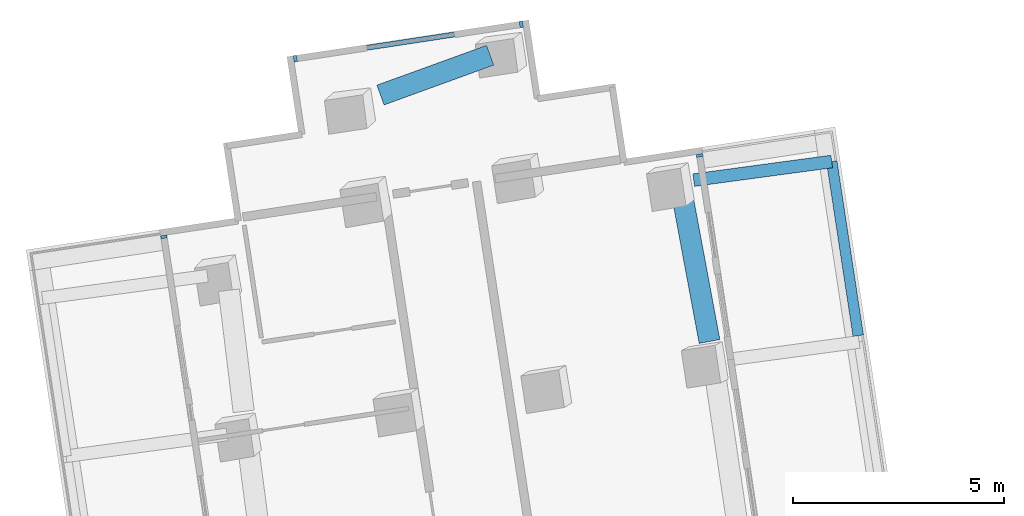
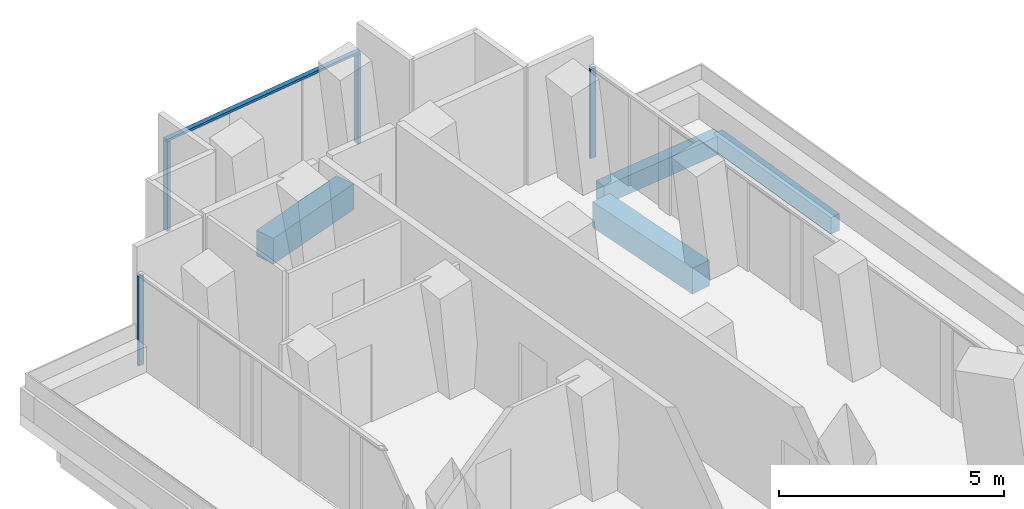
# One storey, part 12 of 28: 5 members, 4 beams, 3 elements without a shape of their own.
"""IFC4 building model written with IfcOpenShell, lengths in metres."""

from ifc_helpers import new_model, si_unit, direction, frame, origin, origin_2d, place, context, subcontext, project, spatial, rectangle, extrude, material, layer, layer_set, material_profile, profile_set, type_object, element, aggregate, save


model = new_model("IFC4")

# Units and contexts
model_context = context("Model", 3, precision=1e-05, world=origin(), true_north=direction((0.0, 1.0)))
body_context = subcontext(model_context, "Body", "Model", "MODEL_VIEW")
ifc_project = project(units=[si_unit("LENGTHUNIT", "METRE"), si_unit("AREAUNIT", "SQUARE_METRE"), si_unit("VOLUMEUNIT", "CUBIC_METRE"), si_unit("PLANEANGLEUNIT", "RADIAN"), si_unit("MASSUNIT", "GRAM", prefix="KILO")], contexts=[model_context])

# Site, building, storey
site_placement = place(None, origin())
site = spatial("IfcSite", under=ifc_project, at=site_placement, CompositionType="ELEMENT")
building_placement = place(site_placement, origin())
building = spatial("IfcBuilding", under=site, at=building_placement, Name="Verdalira Terraces Hotel", CompositionType="ELEMENT")
storey_placement = place(building_placement, frame((0.0, 0.0, 68.0)))
storey = spatial("IfcBuildingStorey", under=building, at=storey_placement, Name="L15", CompositionType="ELEMENT", Elevation=68.0)

# Beams
ifc_material_1 = material(Name="Concrete C40", Category="concrete")
ifc_material_profile_1 = material_profile(ifc_material_1, rectangle(XDim=0.300049, YDim=0.5, at=origin_2d()), Name="RC 300X500")
ifc_profile_set_1 = profile_set([ifc_material_profile_1], Name="Concrete C40")
beam_type_1 = type_object("IfcBeamType", Name="Balcony cantilever beam RC 300X500 C40", PredefinedType="BEAM", material=ifc_profile_set_1)
beam_1_placement = place(storey_placement, frame((0.305664, 39.245605, -0.560059), z_axis=(0.991027926, 0.133654967, 0.0), x_axis=(-0.133654967, 0.991027926, 0.0)))
element("IfcBeam", 1, at=beam_1_placement, inside=storey, type_object=beam_type_1, Name="Balcony cantilever beam R41-6", PredefinedType="BEAM", context=body_context, shape_type="SweptSolid", body=[
    extrude(rectangle(XDim=0.300049, YDim=0.5, at=origin_2d()), origin(), (0.0, 0.0, 1.0), 3.30249),
])
ifc_material_2 = material(Name="Concrete C40", Category="concrete")
ifc_material_profile_2 = material_profile(ifc_material_2, rectangle(XDim=0.25, YDim=0.449951, at=origin_2d()), Name="RC 250X450")
ifc_profile_set_2 = profile_set([ifc_material_profile_2], Name="Concrete C40")
beam_type_2 = type_object("IfcBeamType", Name="Balcony edge beam RC 250X450 C40", PredefinedType="BEAM", material=ifc_profile_set_2)
beam_2_placement = place(storey_placement, frame((4.206299, 35.556396, -0.534912), z_axis=(-0.150234653, 0.988650367, 0.0), x_axis=(-0.988650367, -0.150234653, 0.0)))
element("IfcBeam", 2, at=beam_2_placement, inside=storey, type_object=beam_type_2, Name="Balcony edge beam R41-5", PredefinedType="BEAM", context=body_context, shape_type="SweptSolid", body=[
    extrude(rectangle(XDim=0.25, YDim=0.449951, at=origin_2d()), origin(), (0.0, 0.0, 1.0), 4.177979),
])

# Curtain wall, member
ifc_material_3 = material(Name="Clear glass", Category="glass")
ifc_layer_1 = layer(ifc_material_3, 0.14990234375)
ifc_layer_set_1 = layer_set([ifc_layer_1], Name="CW2 curtain wall")
curtain_wall_type_1 = type_object("IfcCurtainWallType", Name="CW2 curtain wall", PredefinedType="NOTDEFINED", material=ifc_layer_set_1)
curtain_wall_1_placement = place(storey_placement, origin())
curtain_wall_1 = element("IfcCurtainWall", 3, at=curtain_wall_1_placement, inside=storey, type_object=curtain_wall_type_1, Name="CW2 curtain wall L15 edge 0", PredefinedType="NOTDEFINED")
ifc_material_4 = material(Name="Terracotta frame", Category="masonry")
ifc_material_profile_3 = material_profile(ifc_material_4, rectangle(XDim=0.070068, YDim=0.149902, at=origin_2d()), Name="MU 70x150")
ifc_profile_set_3 = profile_set([ifc_material_profile_3], Name="Terracotta frame")
member_type_1 = type_object("IfcMemberType", Name="CW2 mullion 70x150", PredefinedType="MULLION", material=ifc_profile_set_3)
member_1_placement = place(storey_placement, frame((0.446533, 39.830322, 0.0), z_axis=(0.0, 0.0, 1.0), x_axis=(-0.150225589, 0.988651745, 0.0)))
member_1 = element("IfcMember", 4, at=member_1_placement, type_object=member_type_1, Name="CW2 mullion", PredefinedType="MULLION", context=body_context, shape_type="SweptSolid", body=[
    extrude(rectangle(XDim=0.070068, YDim=0.149902, at=origin_2d()), origin(), (0.0, 0.0, 1.0), 2.425049),
])
aggregate(curtain_wall_1, [member_1])

curtain_wall_2_placement = place(storey_placement, origin())
curtain_wall_2 = element("IfcCurtainWall", 5, at=curtain_wall_2_placement, inside=storey, type_object=curtain_wall_type_1, Name="CW2 curtain wall L15 edge 10", PredefinedType="NOTDEFINED")
member_2_placement = place(storey_placement, frame((-12.257568, 37.899902, 0.0), z_axis=(0.0, 0.0, 1.0), x_axis=(0.150225589, -0.988651745, 0.0)))
member_2 = element("IfcMember", 6, at=member_2_placement, type_object=member_type_1, Name="CW2 mullion", PredefinedType="MULLION", context=body_context, shape_type="SweptSolid", body=[
    extrude(rectangle(XDim=0.070068, YDim=0.149902, at=origin_2d()), origin(), (0.0, 0.0, 1.0), 2.425049),
])
aggregate(curtain_wall_2, [member_2])

# Curtain wall, members
ifc_material_5 = material(Name="Clear glass", Category="glass")
ifc_layer_2 = layer(ifc_material_5, 0.14990234375)
ifc_layer_set_2 = layer_set([ifc_layer_2], Name="CW3 curtain wall")
curtain_wall_type_2 = type_object("IfcCurtainWallType", Name="CW3 curtain wall", PredefinedType="NOTDEFINED", material=ifc_layer_set_2)
curtain_wall_3_placement = place(storey_placement, origin())
curtain_wall_3 = element("IfcCurtainWall", 7, at=curtain_wall_3_placement, inside=storey, type_object=curtain_wall_type_2, Name="CW3 curtain wall L15 edge 5", PredefinedType="NOTDEFINED")
ifc_material_6 = material(Name="Terracotta frame", Category="masonry")
ifc_material_profile_4 = material_profile(ifc_material_6, rectangle(XDim=0.080078, YDim=0.149902, at=origin_2d()), Name="MU 80x150")
ifc_profile_set_4 = profile_set([ifc_material_profile_4], Name="Terracotta frame")
member_type_2 = type_object("IfcMemberType", Name="CW3 mullion 80x150", PredefinedType="MULLION", material=ifc_profile_set_4)
member_3_placement = place(storey_placement, frame((-3.783691, 42.940186, 0.0), z_axis=(0.0, 0.0, 1.0), x_axis=(-0.988651745, -0.150225589, 0.0)))
member_3 = element("IfcMember", 8, at=member_3_placement, type_object=member_type_2, Name="CW3 mullion", PredefinedType="MULLION", context=body_context, shape_type="SweptSolid", body=[
    extrude(rectangle(XDim=0.080078, YDim=0.149902, at=origin_2d()), origin(), (0.0, 0.0, 1.0), 2.425049),
])
member_4_placement = place(storey_placement, frame((-9.14209, 42.125977, 0.0), z_axis=(0.0, 0.0, 1.0), x_axis=(-0.988651745, -0.150225589, 0.0)))
member_4 = element("IfcMember", 9, at=member_4_placement, type_object=member_type_2, Name="CW3 mullion", PredefinedType="MULLION", context=body_context, shape_type="SweptSolid", body=[
    extrude(rectangle(XDim=0.080078, YDim=0.149902, at=origin_2d()), origin(), (0.0, 0.0, 1.0), 2.425049),
])
ifc_material_7 = material(Name="Terracotta frame", Category="masonry")
ifc_material_profile_5 = material_profile(ifc_material_7, rectangle(XDim=0.120117, YDim=0.064941, at=origin_2d()), Name="TR 65x120")
ifc_profile_set_5 = profile_set([ifc_material_profile_5], Name="Terracotta frame")
member_type_3 = type_object("IfcMemberType", Name="CW3 transom 65x120", PredefinedType="USERDEFINED", material=ifc_profile_set_5)
member_5_placement = place(storey_placement, frame((-3.744141, 42.946045, 2.45752), z_axis=(-0.988653257, -0.150215635, 0.0), x_axis=(0.150215635, -0.988653257, 0.0)))
member_5 = element("IfcMember", 10, at=member_5_placement, type_object=member_type_3, Name="CW3 transom", ObjectType="TRANSOM", PredefinedType="USERDEFINED", context=body_context, shape_type="SweptSolid", body=[
    extrude(rectangle(XDim=0.120117, YDim=0.064941, at=origin_2d()), origin(), (0.0, 0.0, 1.0), 5.5),
])
aggregate(curtain_wall_3, [member_3, member_4, member_5])

# Beams
ifc_material_8 = material(Name="Concrete C70", Category="concrete")
ifc_material_profile_6 = material_profile(ifc_material_8, rectangle(XDim=0.5, YDim=0.699951, at=origin_2d()), Name="RC 500X700")
ifc_profile_set_6 = profile_set([ifc_material_profile_6], Name="Concrete C70")
beam_type_3 = type_object("IfcBeamType", Name="Spandrel beam RC 500X700 C70", PredefinedType="SPANDREL", material=ifc_profile_set_6)
beam_3_placement = place(storey_placement, frame((0.68042, 35.418945, -0.659912), z_axis=(-0.183297687, 0.983057454, 0.0), x_axis=(-0.983057454, -0.183297687, 0.0)))
element("IfcBeam", 11, at=beam_3_placement, inside=storey, type_object=beam_type_3, Name="Spandrel beam B03", PredefinedType="SPANDREL", context=body_context, shape_type="SweptSolid", body=[
    extrude(rectangle(XDim=0.5, YDim=0.699951, at=origin_2d()), origin(), (0.0, 0.0, 1.0), 3.406982),
])
beam_4_placement = place(storey_placement, frame((-4.52124, 42.207031, -0.659912), z_axis=(-0.940014791, -0.341133688, 0.0), x_axis=(0.341133688, -0.940014791, 0.0)))
element("IfcBeam", 12, at=beam_4_placement, inside=storey, type_object=beam_type_3, Name="Spandrel beam B04", PredefinedType="SPANDREL", context=body_context, shape_type="SweptSolid", body=[
    extrude(rectangle(XDim=0.5, YDim=0.699951, at=origin_2d()), origin(), (0.0, 0.0, 1.0), 2.766846),
])

save(model, "model.ifc")
